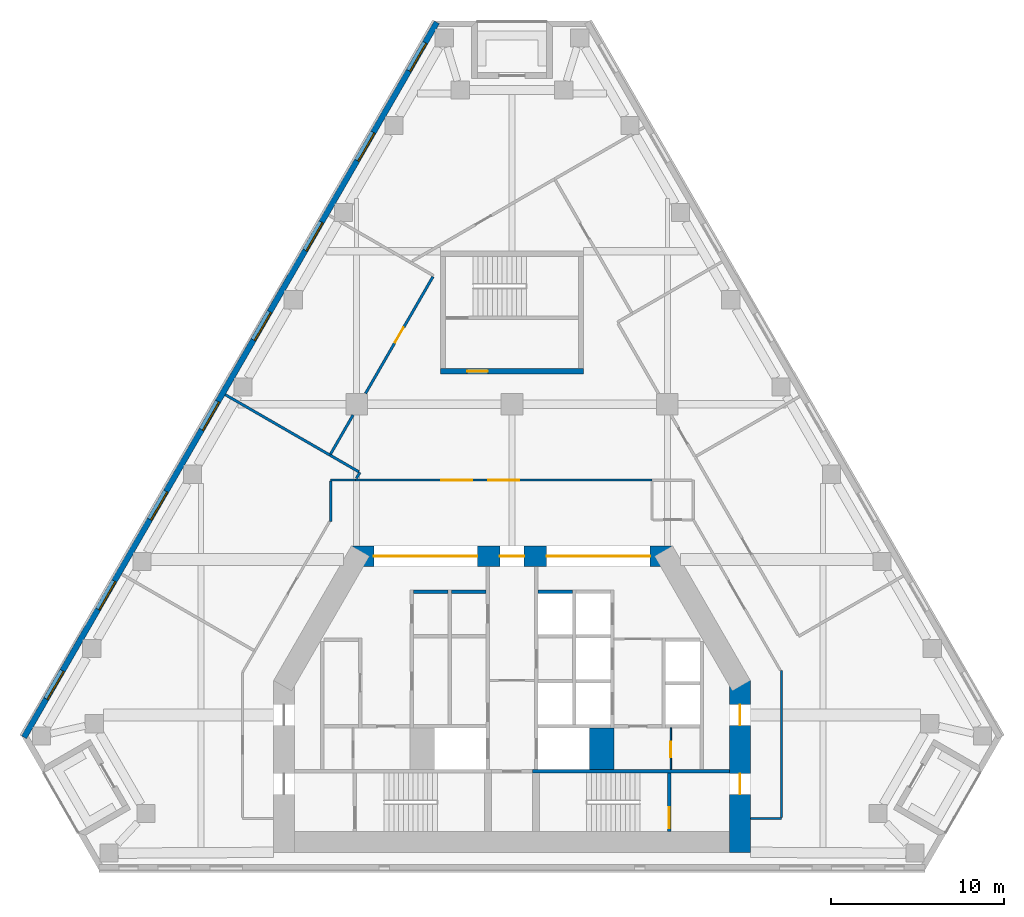
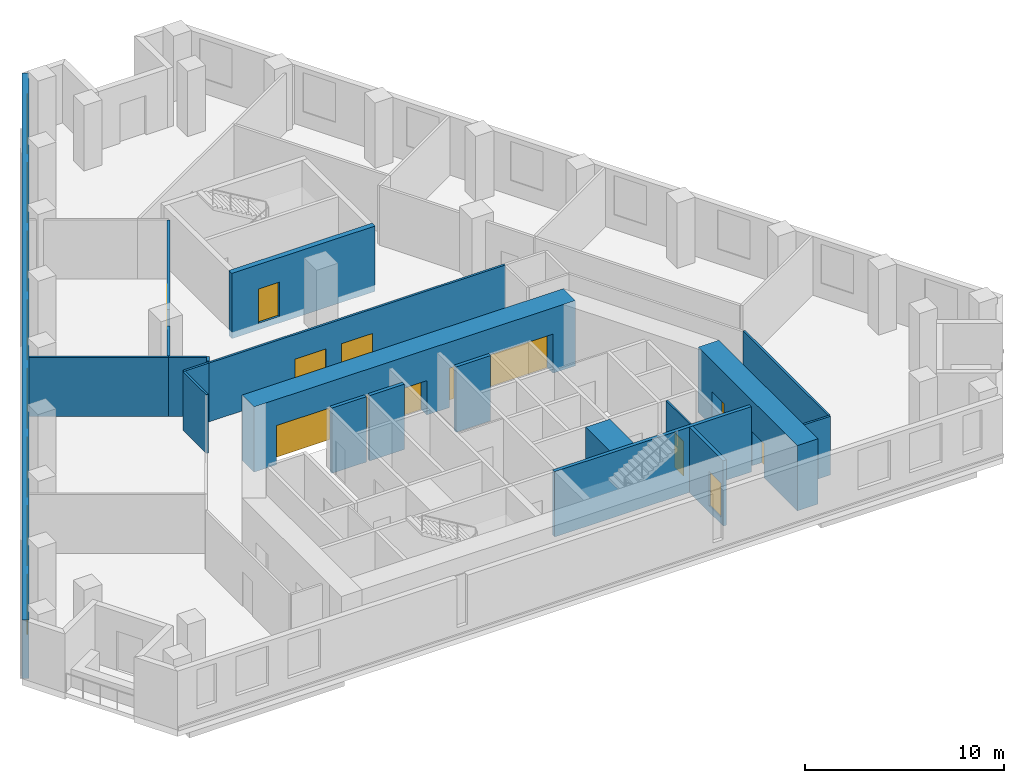
# One storey, part 4 of 7: 21 walls, 11 doors, 8 windows, 19 openings.
"""IFC4 building model written with IfcOpenShell, lengths in metres."""

from ifc_helpers import new_model, si_unit, direction, frame, frame_2d, origin, place, context, subcontext, project, spatial, rectangle, extrude, material, layer, layer_set, type_object, element, fill, save


model = new_model("IFC4")

# Units and contexts
model_context = context("Model", 3, precision=1e-05, world=origin(), true_north=direction((0.0, 1.0)))
body_context = subcontext(model_context, "Body", "Model", "MODEL_VIEW")
ifc_project = project(units=[si_unit("LENGTHUNIT", "METRE"), si_unit("AREAUNIT", "SQUARE_METRE"), si_unit("VOLUMEUNIT", "CUBIC_METRE"), si_unit("PLANEANGLEUNIT", "RADIAN"), si_unit("MASSUNIT", "GRAM", prefix="KILO")], contexts=[model_context])

# Site, building, storey
site_placement = place(None, origin())
site = spatial("IfcSite", under=ifc_project, at=site_placement, CompositionType="ELEMENT")
building_placement = place(site_placement, origin())
building = spatial("IfcBuilding", under=site, at=building_placement, Name="Fogline Exchange Tower", CompositionType="ELEMENT")
storey_placement = place(building_placement, frame((0.0, 0.0, 170.89990234375)))
storey = spatial("IfcBuildingStorey", under=building, at=storey_placement, Name="L38", CompositionType="ELEMENT", Elevation=170.89990234375)

# Wall, opening, door
ifc_material_1 = material(Name="Blockwork partition", Category="masonry")
ifc_layer_1 = layer(ifc_material_1, 0.10009765625)
ifc_layer_set_1 = layer_set([ifc_layer_1], Name="CW10")
wall_type_1 = type_object("IfcWallType", Name="CW10", PredefinedType="PARTITIONING", material=ifc_layer_set_1)
wall_1_placement = place(storey_placement, frame((9.199951171875, 5.85009765625, 0.0), z_axis=(0.0, 0.0, 1.0), x_axis=(0.0, 1.0, 0.0)))
wall_1 = element("IfcWall", 1, at=wall_1_placement, inside=storey, type_object=wall_type_1, Name="WC partition", PredefinedType="PARTITIONING", context=body_context, shape_type="SweptSolid", body=[
    extrude(rectangle(XDim=2.39990234375, YDim=0.10009765625, at=frame_2d((1.199951171875, 0.0))), origin(), (0.0, 0.0, 1.0), 3.60009765625),
])
opening_1_placement = place(wall_1_placement, frame((0.699951171875, 0.0, 0.0)))
opening_1 = element("IfcOpeningElement", 2, at=opening_1_placement, cuts=wall_1, Name="Opening T12-C015", PredefinedType="OPENING", context=body_context, shape_type="SweptSolid", body=[
    extrude(rectangle(XDim=0.89990234375, YDim=2.10009765625, at=frame_2d((0.449951171875, 1.050048828125))), frame((0.0, 0.06005859375, 0.0), z_axis=(0.0, -1.0, 0.0), x_axis=(1.0, 0.0, 0.0)), (0.0, 0.0, 1.0), 0.1201171875),
])
ifc_material_2 = material(Name="Steel and timber fire door", Category="steel")
door_type_1 = type_object("IfcDoorType", Name="D-CS1", OperationType="SINGLE_SWING_RIGHT", PredefinedType="DOOR", material=ifc_material_2)
door_1_placement = place(opening_1_placement, frame((0.89990234375, 0.0, 0.0), z_axis=(0.0, 0.0, 1.0), x_axis=(-1.0, 0.0, 0.0)))
door_1 = element("IfcDoor", 3, at=door_1_placement, inside=storey, type_object=door_type_1, Name="Door to Cleaner's Store", OperationType="SINGLE_SWING_RIGHT", OverallHeight=2.10009765625, OverallWidth=0.89990234375, PredefinedType="DOOR", context=body_context, shape_type="SweptSolid", body=[
    extrude(rectangle(XDim=0.89990234375, YDim=2.10009765625, at=frame_2d((0.449951171875, 1.050048828125))), frame((0.0, 0.02490234375, 0.0), z_axis=(0.0, -1.0, 0.0), x_axis=(1.0, 0.0, 0.0)), (0.0, 0.0, 1.0), 0.050048828125),
])
fill(opening_1, door_1)

# Walls
ifc_material_3 = material(Name="Concrete C60", Category="concrete")
ifc_layer_2 = layer(ifc_material_3, 1.39990234375)
ifc_layer_set_2 = layer_set([ifc_layer_2], Name="CW140")
wall_type_2 = type_object("IfcWallType", Name="CW140", PredefinedType="SOLIDWALL", material=ifc_layer_set_2)
wall_2_placement = place(storey_placement, frame((5.199951171875, 5.85009765625, -0.39990234375), z_axis=(0.0, 0.0, 1.0), x_axis=(0.0, 1.0, 0.0)))
element("IfcWall", 4, at=wall_2_placement, inside=storey, type_object=wall_type_2, Name="Lift shaft block wall", PredefinedType="SOLIDWALL", context=body_context, shape_type="SweptSolid", body=[
    extrude(rectangle(XDim=2.39990234375, YDim=1.39990234375, at=frame_2d((1.199951171875, 0.0))), origin(), (0.0, 0.0, 1.0), 4.0),
])
ifc_material_4 = material(Name="Concrete C40", Category="concrete")
ifc_layer_3 = layer(ifc_material_4, 0.199951171875)
ifc_layer_set_3 = layer_set([ifc_layer_3], Name="CW20R")
wall_type_3 = type_object("IfcWallType", Name="CW20R", PredefinedType="SOLIDWALL", material=ifc_layer_set_3)
wall_3_placement = place(storey_placement, frame((1.199951171875, 5.75, -0.39990234375), z_axis=(0.0, 0.0, 1.0), x_axis=(1.0, 0.0, 0.0)))
element("IfcWall", 5, at=wall_3_placement, inside=storey, type_object=wall_type_3, Name="Stair enclosure wall", PredefinedType="SOLIDWALL", context=body_context, shape_type="SweptSolid", body=[
    extrude(rectangle(XDim=11.400146484375, YDim=0.199951171875, at=frame_2d((5.7001953125, 0.0))), origin(), (0.0, 0.0, 1.0), 4.0),
])

# Wall, opening, door
wall_4_placement = place(storey_placement, frame((9.10009765625, 2.25, -0.39990234375), z_axis=(0.0, 0.0, 1.0), x_axis=(0.0, 1.0, 0.0)))
wall_4 = element("IfcWall", 6, at=wall_4_placement, inside=storey, type_object=wall_type_3, Name="Stair enclosure wall", PredefinedType="SOLIDWALL", context=body_context, shape_type="SweptSolid", body=[
    extrude(rectangle(XDim=3.39990234375, YDim=0.199951171875, at=frame_2d((1.699951171875, 0.0))), origin(), (0.0, 0.0, 1.0), 4.0),
])
opening_2_placement = place(wall_4_placement, frame((0.199951171875, 0.0, 0.39990234375)))
opening_2 = element("IfcOpeningElement", 7, at=opening_2_placement, cuts=wall_4, Name="Opening T12-C017", PredefinedType="OPENING", context=body_context, shape_type="SweptSolid", body=[
    extrude(rectangle(XDim=1.199951171875, YDim=2.10009765625, at=frame_2d((0.60009765625, 1.050048828125))), frame((0.0, 0.10986328125, 0.0), z_axis=(0.0, -1.0, 0.0), x_axis=(1.0, 0.0, 0.0)), (0.0, 0.0, 1.0), 0.219970703125),
])
door_type_2 = type_object("IfcDoorType", Name="D-ST1", OperationType="SINGLE_SWING_LEFT", PredefinedType="DOOR", material=ifc_material_2)
door_2_placement = place(opening_2_placement, origin())
door_2 = element("IfcDoor", 8, at=door_2_placement, inside=storey, type_object=door_type_2, Name="Stair door ST2", OperationType="SINGLE_SWING_LEFT", OverallHeight=2.10009765625, OverallWidth=1.199951171875, PredefinedType="DOOR", context=body_context, shape_type="SweptSolid", body=[
    extrude(rectangle(XDim=1.199951171875, YDim=2.10009765625, at=frame_2d((0.60009765625, 1.050048828125))), frame((0.0, 0.02490234375, 0.0), z_axis=(0.0, -1.0, 0.0), x_axis=(1.0, 0.0, 0.0)), (0.0, 0.0, 1.0), 0.050048828125),
])
fill(opening_2, door_2)

# Walls
ifc_layer_4 = layer(ifc_material_4, 0.199951171875)
ifc_layer_set_4 = layer_set([ifc_layer_4], Name="CW20S")
wall_type_4 = type_object("IfcWallType", Name="CW20S", PredefinedType="SOLIDWALL", material=ifc_layer_set_4)
for number, where, z_axis, x_axis, name in (
    (9, (-5.699951171875, 16.14990234375, -0.39990234375), (0.0, 0.0, 1.0), (1.0, 0.0, 0.0), "Lift shaft wall"),
    (10, (-3.5, 16.14990234375, -0.39990234375), (0.0, 0.0, 1.0), (1.0, 0.0, 0.0), "Lift shaft wall"),
    (11, (1.5, 16.14990234375, -0.39990234375), (0.0, 0.0, 1.0), (1.0, 0.0, 0.0), "Lift shaft wall"),
):
    element("IfcWall", number, at=place(storey_placement, frame(where, z_axis=z_axis, x_axis=x_axis)), inside=storey, type_object=wall_type_4, Name=name, PredefinedType="SOLIDWALL", context=body_context, shape_type="SweptSolid", body=[
        extrude(rectangle(XDim=2.0, YDim=0.199951171875, at=frame_2d((1.0, 0.0))), origin(), (0.0, 0.0, 1.0), 4.0),
    ])

# Wall, opening, door
ifc_layer_5 = layer(ifc_material_4, 0.300048828125)
ifc_layer_set_5 = layer_set([ifc_layer_5], Name="CW30")
wall_type_5 = type_object("IfcWallType", Name="CW30", PredefinedType="SOLIDWALL", material=ifc_layer_set_5)
wall_5_placement = place(storey_placement, frame((-4.14990234375, 28.906982421875, -0.39990234375), z_axis=(0.0, 0.0, 1.0), x_axis=(1.0, 0.0, 0.0)))
wall_5 = element("IfcWall", 12, at=wall_5_placement, inside=storey, type_object=wall_type_5, Name="Stair enclosure wall ST3", PredefinedType="SOLIDWALL", context=body_context, shape_type="SweptSolid", body=[
    extrude(rectangle(XDim=8.2998046875, YDim=0.300048828125, at=frame_2d((4.14990234375, 0.0))), origin(), (0.0, 0.0, 1.0), 4.0),
])
opening_3_placement = place(wall_5_placement, frame((1.550048828125, 0.0, 0.39990234375)))
opening_3 = element("IfcOpeningElement", 13, at=opening_3_placement, cuts=wall_5, Name="Opening T12-C023", PredefinedType="OPENING", context=body_context, shape_type="SweptSolid", body=[
    extrude(rectangle(XDim=1.199951171875, YDim=2.10009765625, at=frame_2d((0.60009765625, 1.050048828125))), frame((0.0, 0.16015625, 0.0), z_axis=(0.0, -1.0, 0.0), x_axis=(1.0, 0.0, 0.0)), (0.0, 0.0, 1.0), 0.320068359375),
])
door_type_3 = type_object("IfcDoorType", Name="D-FR1", OperationType="SINGLE_SWING_RIGHT", PredefinedType="DOOR", material=ifc_material_2)
door_3_placement = place(opening_3_placement, origin())
door_3 = element("IfcDoor", 14, at=door_3_placement, inside=storey, type_object=door_type_3, Name="Front room door ST3", OperationType="SINGLE_SWING_LEFT", OverallHeight=2.10009765625, OverallWidth=1.199951171875, PredefinedType="DOOR", context=body_context, shape_type="SweptSolid", body=[
    extrude(rectangle(XDim=1.199951171875, YDim=2.10009765625, at=frame_2d((0.60009765625, 1.050048828125))), frame((0.0, 0.02490234375, 0.0), z_axis=(0.0, -1.0, 0.0), x_axis=(1.0, 0.0, 0.0)), (0.0, 0.0, 1.0), 0.050048828125),
])
fill(opening_3, door_3)

# Wall, openings, windows
ifc_material_5 = material(Name="Brick masonry", Category="masonry")
ifc_layer_6 = layer(ifc_material_5, 0.340087890625)
ifc_layer_set_6 = layer_set([ifc_layer_6], Name="FW1")
wall_type_6 = type_object("IfcWallType", Name="FW1", PredefinedType="SOLIDWALL", material=ifc_layer_set_6)
wall_6_placement = place(storey_placement, frame((-4.352783203125, 49.111572265625, 0.0), z_axis=(0.0, 0.0, 1.0), x_axis=(-0.500002420408, -0.866024006357, 0.0)))
wall_6 = element("IfcWall", 15, at=wall_6_placement, inside=storey, type_object=wall_type_6, Name="Brick wall L38 W", PredefinedType="SOLIDWALL", context=body_context, shape_type="SweptSolid", body=[
    extrude(rectangle(XDim=47.807373046875, YDim=0.340087890625, at=frame_2d((23.90380859375, 0.0))), origin(), (0.0, 0.0, 1.0), 3.60009765625),
])
opening_4_placement = place(wall_6_placement, frame((1.35546875, 0.0, 0.89990234375)))
opening_4 = element("IfcOpeningElement", 16, at=opening_4_placement, cuts=wall_6, Name="Opening W1", PredefinedType="OPENING", context=body_context, shape_type="SweptSolid", body=[
    extrude(rectangle(XDim=1.885009765625, YDim=2.39990234375, at=frame_2d((0.9423828125, 1.199951171875))), frame((0.0, 0.18017578125, 0.0), z_axis=(0.0, -1.0, 0.0), x_axis=(1.0, 0.0, 0.0)), (0.0, 0.0, 1.0), 0.360107421875),
])
opening_5_placement = place(wall_6_placement, frame((7.35546875, 0.0, 0.89990234375)))
opening_5 = element("IfcOpeningElement", 17, at=opening_5_placement, cuts=wall_6, Name="Opening W1", PredefinedType="OPENING", context=body_context, shape_type="SweptSolid", body=[
    extrude(rectangle(XDim=1.885009765625, YDim=2.39990234375, at=frame_2d((0.9423828125, 1.199951171875))), frame((0.0, 0.18017578125, 0.0), z_axis=(0.0, -1.0, 0.0), x_axis=(1.0, 0.0, 0.0)), (0.0, 0.0, 1.0), 0.360107421875),
])
opening_6_placement = place(wall_6_placement, frame((13.35546875, 0.0, 0.89990234375)))
opening_6 = element("IfcOpeningElement", 18, at=opening_6_placement, cuts=wall_6, Name="Opening W1", PredefinedType="OPENING", context=body_context, shape_type="SweptSolid", body=[
    extrude(rectangle(XDim=1.885009765625, YDim=2.39990234375, at=frame_2d((0.9423828125, 1.199951171875))), frame((0.0, 0.18017578125, 0.0), z_axis=(0.0, -1.0, 0.0), x_axis=(1.0, 0.0, 0.0)), (0.0, 0.0, 1.0), 0.360107421875),
])
opening_7_placement = place(wall_6_placement, frame((19.35546875, 0.0, 0.89990234375)))
opening_7 = element("IfcOpeningElement", 19, at=opening_7_placement, cuts=wall_6, Name="Opening W1", PredefinedType="OPENING", context=body_context, shape_type="SweptSolid", body=[
    extrude(rectangle(XDim=1.885009765625, YDim=2.39990234375, at=frame_2d((0.9423828125, 1.199951171875))), frame((0.0, 0.18017578125, 0.0), z_axis=(0.0, -1.0, 0.0), x_axis=(1.0, 0.0, 0.0)), (0.0, 0.0, 1.0), 0.360107421875),
])
opening_8_placement = place(wall_6_placement, frame((25.35546875, 0.0, 0.89990234375)))
opening_8 = element("IfcOpeningElement", 20, at=opening_8_placement, cuts=wall_6, Name="Opening W1", PredefinedType="OPENING", context=body_context, shape_type="SweptSolid", body=[
    extrude(rectangle(XDim=1.885009765625, YDim=2.39990234375, at=frame_2d((0.9423828125, 1.199951171875))), frame((0.0, 0.18017578125, 0.0), z_axis=(0.0, -1.0, 0.0), x_axis=(1.0, 0.0, 0.0)), (0.0, 0.0, 1.0), 0.360107421875),
])
opening_9_placement = place(wall_6_placement, frame((31.35546875, 0.0, 0.89990234375)))
opening_9 = element("IfcOpeningElement", 21, at=opening_9_placement, cuts=wall_6, Name="Opening W1", PredefinedType="OPENING", context=body_context, shape_type="SweptSolid", body=[
    extrude(rectangle(XDim=1.885009765625, YDim=2.39990234375, at=frame_2d((0.9423828125, 1.199951171875))), frame((0.0, 0.18017578125, 0.0), z_axis=(0.0, -1.0, 0.0), x_axis=(1.0, 0.0, 0.0)), (0.0, 0.0, 1.0), 0.360107421875),
])
opening_10_placement = place(wall_6_placement, frame((37.35546875, 0.0, 0.89990234375)))
opening_10 = element("IfcOpeningElement", 22, at=opening_10_placement, cuts=wall_6, Name="Opening W1", PredefinedType="OPENING", context=body_context, shape_type="SweptSolid", body=[
    extrude(rectangle(XDim=1.885009765625, YDim=2.39990234375, at=frame_2d((0.9423828125, 1.199951171875))), frame((0.0, 0.18017578125, 0.0), z_axis=(0.0, -1.0, 0.0), x_axis=(1.0, 0.0, 0.0)), (0.0, 0.0, 1.0), 0.360107421875),
])
opening_11_placement = place(wall_6_placement, frame((43.35546875, 0.0, 0.89990234375)))
opening_11 = element("IfcOpeningElement", 23, at=opening_11_placement, cuts=wall_6, Name="Opening W1", PredefinedType="OPENING", context=body_context, shape_type="SweptSolid", body=[
    extrude(rectangle(XDim=1.885009765625, YDim=2.39990234375, at=frame_2d((0.9423828125, 1.199951171875))), frame((0.0, 0.18017578125, 0.0), z_axis=(0.0, -1.0, 0.0), x_axis=(1.0, 0.0, 0.0)), (0.0, 0.0, 1.0), 0.360107421875),
])
ifc_material_6 = material(Name="Aluminium and glass", Category="aluminium")
window_type = type_object("IfcWindowType", Name="W1", PartitioningType="SINGLE_PANEL", PredefinedType="WINDOW", material=ifc_material_6)
window_1_placement = place(opening_4_placement, origin())
window_1 = element("IfcWindow", 24, at=window_1_placement, inside=storey, type_object=window_type, Name="W1 W1", OverallHeight=2.39990234375, OverallWidth=1.885009765625, PartitioningType="SINGLE_PANEL", PredefinedType="WINDOW", context=body_context, shape_type="SweptSolid", body=[
    extrude(rectangle(XDim=1.885009765625, YDim=2.39990234375, at=frame_2d((0.9423828125, 1.199951171875))), frame((0.0, 0.110107421875, 0.0), z_axis=(0.0, -1.0, 0.0), x_axis=(1.0, 0.0, 0.0)), (0.0, 0.0, 1.0), 0.06005859375),
])
fill(opening_4, window_1)
window_2_placement = place(opening_5_placement, origin())
window_2 = element("IfcWindow", 25, at=window_2_placement, inside=storey, type_object=window_type, Name="W1 W1", OverallHeight=2.39990234375, OverallWidth=1.885009765625, PartitioningType="SINGLE_PANEL", PredefinedType="WINDOW", context=body_context, shape_type="SweptSolid", body=[
    extrude(rectangle(XDim=1.885009765625, YDim=2.39990234375, at=frame_2d((0.9423828125, 1.199951171875))), frame((0.0, 0.110107421875, 0.0), z_axis=(0.0, -1.0, 0.0), x_axis=(1.0, 0.0, 0.0)), (0.0, 0.0, 1.0), 0.06005859375),
])
fill(opening_5, window_2)
window_3_placement = place(opening_6_placement, origin())
window_3 = element("IfcWindow", 26, at=window_3_placement, inside=storey, type_object=window_type, Name="W1 W1", OverallHeight=2.39990234375, OverallWidth=1.885009765625, PartitioningType="SINGLE_PANEL", PredefinedType="WINDOW", context=body_context, shape_type="SweptSolid", body=[
    extrude(rectangle(XDim=1.885009765625, YDim=2.39990234375, at=frame_2d((0.9423828125, 1.199951171875))), frame((0.0, 0.110107421875, 0.0), z_axis=(0.0, -1.0, 0.0), x_axis=(1.0, 0.0, 0.0)), (0.0, 0.0, 1.0), 0.06005859375),
])
fill(opening_6, window_3)
window_4_placement = place(opening_7_placement, origin())
window_4 = element("IfcWindow", 27, at=window_4_placement, inside=storey, type_object=window_type, Name="W1 W1", OverallHeight=2.39990234375, OverallWidth=1.885009765625, PartitioningType="SINGLE_PANEL", PredefinedType="WINDOW", context=body_context, shape_type="SweptSolid", body=[
    extrude(rectangle(XDim=1.885009765625, YDim=2.39990234375, at=frame_2d((0.9423828125, 1.199951171875))), frame((0.0, 0.110107421875, 0.0), z_axis=(0.0, -1.0, 0.0), x_axis=(1.0, 0.0, 0.0)), (0.0, 0.0, 1.0), 0.06005859375),
])
fill(opening_7, window_4)
window_5_placement = place(opening_8_placement, origin())
window_5 = element("IfcWindow", 28, at=window_5_placement, inside=storey, type_object=window_type, Name="W1 W1", OverallHeight=2.39990234375, OverallWidth=1.885009765625, PartitioningType="SINGLE_PANEL", PredefinedType="WINDOW", context=body_context, shape_type="SweptSolid", body=[
    extrude(rectangle(XDim=1.885009765625, YDim=2.39990234375, at=frame_2d((0.9423828125, 1.199951171875))), frame((0.0, 0.110107421875, 0.0), z_axis=(0.0, -1.0, 0.0), x_axis=(1.0, 0.0, 0.0)), (0.0, 0.0, 1.0), 0.06005859375),
])
fill(opening_8, window_5)
window_6_placement = place(opening_9_placement, origin())
window_6 = element("IfcWindow", 29, at=window_6_placement, inside=storey, type_object=window_type, Name="W1 W1", OverallHeight=2.39990234375, OverallWidth=1.885009765625, PartitioningType="SINGLE_PANEL", PredefinedType="WINDOW", context=body_context, shape_type="SweptSolid", body=[
    extrude(rectangle(XDim=1.885009765625, YDim=2.39990234375, at=frame_2d((0.9423828125, 1.199951171875))), frame((0.0, 0.110107421875, 0.0), z_axis=(0.0, -1.0, 0.0), x_axis=(1.0, 0.0, 0.0)), (0.0, 0.0, 1.0), 0.06005859375),
])
fill(opening_9, window_6)
window_7_placement = place(opening_10_placement, origin())
window_7 = element("IfcWindow", 30, at=window_7_placement, inside=storey, type_object=window_type, Name="W1 W1", OverallHeight=2.39990234375, OverallWidth=1.885009765625, PartitioningType="SINGLE_PANEL", PredefinedType="WINDOW", context=body_context, shape_type="SweptSolid", body=[
    extrude(rectangle(XDim=1.885009765625, YDim=2.39990234375, at=frame_2d((0.9423828125, 1.199951171875))), frame((0.0, 0.110107421875, 0.0), z_axis=(0.0, -1.0, 0.0), x_axis=(1.0, 0.0, 0.0)), (0.0, 0.0, 1.0), 0.06005859375),
])
fill(opening_10, window_7)
window_8_placement = place(opening_11_placement, origin())
window_8 = element("IfcWindow", 31, at=window_8_placement, inside=storey, type_object=window_type, Name="W1 W1", OverallHeight=2.39990234375, OverallWidth=1.885009765625, PartitioningType="SINGLE_PANEL", PredefinedType="WINDOW", context=body_context, shape_type="SweptSolid", body=[
    extrude(rectangle(XDim=1.885009765625, YDim=2.39990234375, at=frame_2d((0.9423828125, 1.199951171875))), frame((0.0, 0.110107421875, 0.0), z_axis=(0.0, -1.0, 0.0), x_axis=(1.0, 0.0, 0.0)), (0.0, 0.0, 1.0), 0.06005859375),
])
fill(opening_11, window_8)

# Walls
ifc_material_7 = material(Name="Plasterboard corridor partition with mineral wool, 2 layers each side")
ifc_layer_7 = layer(ifc_material_7, 0.125)
ifc_layer_set_7 = layer_set([ifc_layer_7], Name="PW2")
wall_type_7 = type_object("IfcWallType", Name="PW2", PredefinedType="PARTITIONING", material=ifc_layer_set_7)
wall_7_placement = place(storey_placement, frame((15.60009765625, 11.58984375, 0.0), z_axis=(0.0, 0.0, 1.0), x_axis=(0.0, -1.0, 0.0)))
element("IfcWall", 32, at=wall_7_placement, inside=storey, type_object=wall_type_7, Name="wall-L38-W002", PredefinedType="PARTITIONING", context=body_context, shape_type="SweptSolid", body=[
    extrude(rectangle(XDim=8.52734375, YDim=0.125, at=frame_2d((4.263671875, 0.0))), origin(), (0.0, 0.0, 1.0), 3.60009765625),
])
wall_8_placement = place(storey_placement, frame((15.60009765625, 3.0, 0.0), z_axis=(0.0, 0.0, 1.0), x_axis=(-1.0, 0.0, 0.0)))
element("IfcWall", 33, at=wall_8_placement, inside=storey, type_object=wall_type_7, Name="wall-L38-W003", PredefinedType="PARTITIONING", context=body_context, shape_type="SweptSolid", body=[
    extrude(rectangle(XDim=1.800048828125, YDim=0.125, at=frame_2d((0.89990234375, 0.0))), origin(), (0.0, 0.0, 1.0), 3.60009765625),
])
wall_9_placement = place(storey_placement, frame((-10.5, 20.2060546875, 0.0), z_axis=(0.0, 0.0, 1.0), x_axis=(0.0, 1.0, 0.0)))
element("IfcWall", 34, at=wall_9_placement, inside=storey, type_object=wall_type_7, Name="wall-L38-W006", PredefinedType="PARTITIONING", context=body_context, shape_type="SweptSolid", body=[
    extrude(rectangle(XDim=2.33154296875, YDim=0.125, at=frame_2d((1.165771484375, 0.0))), origin(), (0.0, 0.0, 1.0), 3.60009765625),
])
wall_10_placement = place(storey_placement, frame((-10.5, 22.60009765625, 0.0), z_axis=(0.0, 0.0, 1.0), x_axis=(1.0, 0.0, 0.0)))
element("IfcWall", 35, at=wall_10_placement, inside=storey, type_object=wall_type_7, Name="wall-L38-W007", PredefinedType="PARTITIONING", context=body_context, shape_type="SweptSolid", body=[
    extrude(rectangle(XDim=1.42919921875, YDim=0.125, at=frame_2d((0.714599609375, 0.0))), origin(), (0.0, 0.0, 1.0), 3.60009765625),
])

# Wall, openings, doors
wall_11_placement = place(storey_placement, frame((-9.07080078125, 22.60009765625, 0.0), z_axis=(0.0, 0.0, 1.0), x_axis=(1.0, 0.0, 0.0)))
wall_11 = element("IfcWall", 36, at=wall_11_placement, inside=storey, type_object=wall_type_7, Name="wall-L38-W008", PredefinedType="PARTITIONING", context=body_context, shape_type="SweptSolid", body=[
    extrude(rectangle(XDim=17.1708984375, YDim=0.125, at=frame_2d((8.58544921875, 0.0))), origin(), (0.0, 0.0, 1.0), 3.60009765625),
])
opening_12_placement = place(wall_11_placement, frame((4.981689453125, 0.0, 0.0)))
opening_12 = element("IfcOpeningElement", 37, at=opening_12_placement, cuts=wall_11, Name="Opening T12-D003", PredefinedType="OPENING", context=body_context, shape_type="SweptSolid", body=[
    extrude(rectangle(XDim=1.800048828125, YDim=2.10009765625, at=frame_2d((0.89990234375, 1.050048828125))), frame((0.0, 0.072509765625, 0.0), z_axis=(0.0, -1.0, 0.0), x_axis=(1.0, 0.0, 0.0)), (0.0, 0.0, 1.0), 0.14501953125),
])
opening_13_placement = place(wall_11_placement, frame((7.685302734375, 0.0, 0.0)))
opening_13 = element("IfcOpeningElement", 38, at=opening_13_placement, cuts=wall_11, Name="Opening T12-D004", PredefinedType="OPENING", context=body_context, shape_type="SweptSolid", body=[
    extrude(rectangle(XDim=1.800048828125, YDim=2.10009765625, at=frame_2d((0.89990234375, 1.050048828125))), frame((0.0, 0.072509765625, 0.0), z_axis=(0.0, -1.0, 0.0), x_axis=(1.0, 0.0, 0.0)), (0.0, 0.0, 1.0), 0.14501953125),
])
ifc_material_8 = material(Name="Fire-rated timber door leaves with steel frame", Category="steel")
door_type_4 = type_object("IfcDoorType", Name="D4", OperationType="DOUBLE_DOOR_SINGLE_SWING", PredefinedType="DOOR", material=ifc_material_8)
door_4_placement = place(opening_12_placement, frame((1.800048828125, 0.0, 0.0), z_axis=(0.0, 0.0, 1.0), x_axis=(-1.0, 0.0, 0.0)))
door_4 = element("IfcDoor", 39, at=door_4_placement, inside=storey, type_object=door_type_4, Name="door-L38-D003", OperationType="DOUBLE_DOOR_SINGLE_SWING", OverallHeight=2.10009765625, OverallWidth=1.800048828125, PredefinedType="DOOR", context=body_context, shape_type="SweptSolid", body=[
    extrude(rectangle(XDim=1.800048828125, YDim=2.10009765625, at=frame_2d((0.89990234375, 1.050048828125))), frame((0.0, 0.02490234375, 0.0), z_axis=(0.0, -1.0, 0.0), x_axis=(1.0, 0.0, 0.0)), (0.0, 0.0, 1.0), 0.050048828125),
])
fill(opening_12, door_4)
door_5_placement = place(opening_13_placement, frame((1.800048828125, 0.0, 0.0), z_axis=(0.0, 0.0, 1.0), x_axis=(-1.0, 0.0, 0.0)))
door_5 = element("IfcDoor", 40, at=door_5_placement, inside=storey, type_object=door_type_4, Name="door-L38-D004", OperationType="DOUBLE_DOOR_SINGLE_SWING", OverallHeight=2.10009765625, OverallWidth=1.800048828125, PredefinedType="DOOR", context=body_context, shape_type="SweptSolid", body=[
    extrude(rectangle(XDim=1.800048828125, YDim=2.10009765625, at=frame_2d((0.89990234375, 1.050048828125))), frame((0.0, 0.02490234375, 0.0), z_axis=(0.0, -1.0, 0.0), x_axis=(1.0, 0.0, 0.0)), (0.0, 0.0, 1.0), 0.050048828125),
])
fill(opening_13, door_5)

# Wall
ifc_material_9 = material(Name="Plasterboard demising partition with mineral wool and acoustic board")
ifc_layer_8 = layer(ifc_material_9, 0.14990234375)
ifc_layer_set_8 = layer_set([ifc_layer_8], Name="PW3")
wall_type_8 = type_object("IfcWallType", Name="PW3", PredefinedType="PARTITIONING", material=ifc_layer_set_8)
wall_12_placement = place(storey_placement, frame((-10.54248046875, 24.05078125, 0.0), z_axis=(0.0, 0.0, 1.0), x_axis=(-0.866019471182, 0.500010275428, 0.0)))
element("IfcWall", 41, at=wall_12_placement, inside=storey, type_object=wall_type_8, Name="wall-L38-W028", PredefinedType="PARTITIONING", context=body_context, shape_type="SweptSolid", body=[
    extrude(rectangle(XDim=6.999755859375, YDim=0.14990234375, at=frame_2d((3.5, 0.0))), origin(), (0.0, 0.0, 1.0), 3.60009765625),
])

# Wall, opening, door
wall_13_placement = place(storey_placement, frame((-4.579833984375, 34.378173828125, 0.0), z_axis=(0.0, 0.0, 1.0), x_axis=(-0.500021466329, -0.866013009839, 0.0)))
wall_13 = element("IfcWall", 42, at=wall_13_placement, inside=storey, type_object=wall_type_8, Name="wall-L38-W030", PredefinedType="PARTITIONING", context=body_context, shape_type="SweptSolid", body=[
    extrude(rectangle(XDim=7.798095703125, YDim=0.14990234375, at=frame_2d((3.89892578125, 0.0))), origin(), (0.0, 0.0, 1.0), 3.60009765625),
])
opening_14_placement = place(wall_13_placement, frame((3.39892578125, 0.0, 0.0)))
opening_14 = element("IfcOpeningElement", 43, at=opening_14_placement, cuts=wall_13, Name="Opening T12-D011", PredefinedType="OPENING", context=body_context, shape_type="SweptSolid", body=[
    extrude(rectangle(XDim=1.0, YDim=2.10009765625, at=frame_2d((0.5, 1.050048828125))), frame((0.0, 0.0849609375, 0.0), z_axis=(0.0, -1.0, 0.0), x_axis=(1.0, 0.0, 0.0)), (0.0, 0.0, 1.0), 0.169921875),
])
ifc_material_10 = material(Name="Fire-rated timber door leaf with steel frame", Category="steel")
door_type_5 = type_object("IfcDoorType", Name="D3", OperationType="SINGLE_SWING_LEFT", PredefinedType="DOOR", material=ifc_material_10)
door_6_placement = place(opening_14_placement, frame((1.0, 0.0, 0.0), z_axis=(0.0, 0.0, 1.0), x_axis=(-1.0, 0.0, 0.0)))
door_6 = element("IfcDoor", 44, at=door_6_placement, inside=storey, type_object=door_type_5, Name="door-L38-D011", OperationType="SINGLE_SWING_LEFT", OverallHeight=2.10009765625, OverallWidth=1.0, PredefinedType="DOOR", context=body_context, shape_type="SweptSolid", body=[
    extrude(rectangle(XDim=1.0, YDim=2.10009765625, at=frame_2d((0.5, 1.050048828125))), frame((0.0, 0.02490234375, 0.0), z_axis=(0.0, -1.0, 0.0), x_axis=(1.0, 0.0, 0.0)), (0.0, 0.0, 1.0), 0.050048828125),
])
fill(opening_14, door_6)

# Walls
wall_14_placement = place(storey_placement, frame((-9.20068359375, 26.375, 0.0), z_axis=(0.0, 0.0, 1.0), x_axis=(-0.499984413489, -0.866034402474, 0.0)))
element("IfcWall", 45, at=wall_14_placement, inside=storey, type_object=wall_type_8, Name="wall-L38-W031", PredefinedType="PARTITIONING", context=body_context, shape_type="SweptSolid", body=[
    extrude(rectangle(XDim=2.6083984375, YDim=0.14990234375, at=frame_2d((1.30419921875, 0.0))), origin(), (0.0, 0.0, 1.0), 3.60009765625),
])
wall_15_placement = place(storey_placement, frame((-10.54248046875, 24.05078125, 0.0), z_axis=(0.0, 0.0, 1.0), x_axis=(0.866065214058, -0.499931040243, 0.0)))
element("IfcWall", 46, at=wall_15_placement, inside=storey, type_object=wall_type_8, Name="wall-L38-W033", PredefinedType="PARTITIONING", context=body_context, shape_type="SweptSolid", body=[
    extrude(rectangle(XDim=1.925048828125, YDim=0.14990234375, at=frame_2d((0.96240234375, 0.0))), origin(), (0.0, 0.0, 1.0), 3.60009765625),
])
wall_16_placement = place(storey_placement, frame((-8.810302734375, 23.05078125, 0.0), z_axis=(0.0, 0.0, 1.0), x_axis=(-0.500227331437, -0.865894114129, 0.0)))
element("IfcWall", 47, at=wall_16_placement, inside=storey, type_object=wall_type_8, Name="wall-L38-W034", PredefinedType="PARTITIONING", context=body_context, shape_type="SweptSolid", body=[
    extrude(rectangle(XDim=0.404541015625, YDim=0.14990234375, at=frame_2d((0.2021484375, 0.0))), origin(), (0.0, 0.0, 1.0), 3.60009765625),
])

# Wall, openings, doors
ifc_layer_9 = layer(ifc_material_3, 1.199951171875)
ifc_layer_set_9 = layer_set([ifc_layer_9], Name="SW02")
wall_type_9 = type_object("IfcWallType", Name="SW02", PredefinedType="SHEAR", material=ifc_layer_set_9)
wall_17_placement = place(storey_placement, frame((13.199951171875, 1.050048828125, 0.0), z_axis=(0.0, 0.0, 1.0), x_axis=(0.0, 1.0, 0.0)))
wall_17 = element("IfcWall", 48, at=wall_17_placement, inside=storey, type_object=wall_type_9, Name="L38-W902", PredefinedType="SHEAR", context=body_context, shape_type="SweptSolid", body=[
    extrude(rectangle(XDim=9.948974609375, YDim=1.199951171875, at=frame_2d((4.974609375, 0.0))), origin(), (0.0, 0.0, 1.0), 4.0),
])
opening_15_placement = place(wall_17_placement, frame((3.35009765625, 0.0, 0.0)))
opening_15 = element("IfcOpeningElement", 49, at=opening_15_placement, cuts=wall_17, Name="Opening T12-C016", PredefinedType="OPENING", context=body_context, shape_type="SweptSolid", body=[
    extrude(rectangle(XDim=1.199951171875, YDim=2.10009765625, at=frame_2d((0.60009765625, 1.050048828125))), frame((0.0, 0.60986328125, 0.0), z_axis=(0.0, -1.0, 0.0), x_axis=(1.0, 0.0, 0.0)), (0.0, 0.0, 1.0), 1.219970703125),
])
opening_16_placement = place(wall_17_placement, frame((7.35009765625, 0.0, 0.0)))
opening_16 = element("IfcOpeningElement", 50, at=opening_16_placement, cuts=wall_17, Name="Opening T12-C018", PredefinedType="OPENING", context=body_context, shape_type="SweptSolid", body=[
    extrude(rectangle(XDim=1.199951171875, YDim=2.10009765625, at=frame_2d((0.60009765625, 1.050048828125))), frame((0.0, 0.60986328125, 0.0), z_axis=(0.0, -1.0, 0.0), x_axis=(1.0, 0.0, 0.0)), (0.0, 0.0, 1.0), 1.219970703125),
])
door_7_placement = place(opening_15_placement, origin())
door_7 = element("IfcDoor", 51, at=door_7_placement, inside=storey, type_object=door_type_3, Name="Front room door ST2", OperationType="SINGLE_SWING_RIGHT", OverallHeight=2.10009765625, OverallWidth=1.199951171875, PredefinedType="DOOR", context=body_context, shape_type="SweptSolid", body=[
    extrude(rectangle(XDim=1.199951171875, YDim=2.10009765625, at=frame_2d((0.60009765625, 1.050048828125))), frame((0.0, 0.02490234375, 0.0), z_axis=(0.0, -1.0, 0.0), x_axis=(1.0, 0.0, 0.0)), (0.0, 0.0, 1.0), 0.050048828125),
])
fill(opening_15, door_7)
door_type_6 = type_object("IfcDoorType", Name="D-SV1", OperationType="SINGLE_SWING_LEFT", PredefinedType="DOOR", material=ifc_material_2)
door_8_placement = place(opening_16_placement, origin())
door_8 = element("IfcDoor", 52, at=door_8_placement, inside=storey, type_object=door_type_6, Name="Service door E", OperationType="SINGLE_SWING_RIGHT", OverallHeight=2.10009765625, OverallWidth=1.199951171875, PredefinedType="DOOR", context=body_context, shape_type="SweptSolid", body=[
    extrude(rectangle(XDim=1.199951171875, YDim=2.10009765625, at=frame_2d((0.60009765625, 1.050048828125))), frame((0.0, 0.02490234375, 0.0), z_axis=(0.0, -1.0, 0.0), x_axis=(1.0, 0.0, 0.0)), (0.0, 0.0, 1.0), 0.050048828125),
])
fill(opening_16, door_8)

wall_18_placement = place(storey_placement, frame((9.296142578125, 18.199951171875, 0.0), z_axis=(0.0, 0.0, 1.0), x_axis=(-1.0, 0.0, 0.0)))
wall_18 = element("IfcWall", 53, at=wall_18_placement, inside=storey, type_object=wall_type_9, Name="L38-W904", PredefinedType="SHEAR", context=body_context, shape_type="SweptSolid", body=[
    extrude(rectangle(XDim=18.59228515625, YDim=1.199951171875, at=frame_2d((9.296142578125, 0.0))), origin(), (0.0, 0.0, 1.0), 4.0),
])
opening_17_placement = place(wall_18_placement, frame((8.59619140625, 0.0, 0.0)))
opening_17 = element("IfcOpeningElement", 54, at=opening_17_placement, cuts=wall_18, Name="Opening T12-C020", PredefinedType="OPENING", context=body_context, shape_type="SweptSolid", body=[
    extrude(rectangle(XDim=1.39990234375, YDim=2.10009765625, at=frame_2d((0.699951171875, 1.050048828125))), frame((0.0, 0.60986328125, 0.0), z_axis=(0.0, -1.0, 0.0), x_axis=(1.0, 0.0, 0.0)), (0.0, 0.0, 1.0), 1.219970703125),
])
opening_18_placement = place(wall_18_placement, frame((11.296142578125, 0.0, 0.0)))
opening_18 = element("IfcOpeningElement", 55, at=opening_18_placement, cuts=wall_18, Name="Opening T12-C021", PredefinedType="OPENING", context=body_context, shape_type="SweptSolid", body=[
    extrude(rectangle(XDim=6.0, YDim=2.39990234375, at=frame_2d((3.0, 1.199951171875))), frame((0.0, 0.60986328125, 0.0), z_axis=(0.0, -1.0, 0.0), x_axis=(1.0, 0.0, 0.0)), (0.0, 0.0, 1.0), 1.219970703125),
])
opening_19_placement = place(wall_18_placement, frame((1.296142578125, 0.0, 0.0)))
opening_19 = element("IfcOpeningElement", 56, at=opening_19_placement, cuts=wall_18, Name="Opening T12-C022", PredefinedType="OPENING", context=body_context, shape_type="SweptSolid", body=[
    extrude(rectangle(XDim=6.0, YDim=2.39990234375, at=frame_2d((3.0, 1.199951171875))), frame((0.0, 0.60986328125, 0.0), z_axis=(0.0, -1.0, 0.0), x_axis=(1.0, 0.0, 0.0)), (0.0, 0.0, 1.0), 1.219970703125),
])
door_type_7 = type_object("IfcDoorType", Name="D-LB1", OperationType="DOUBLE_DOOR_SINGLE_SWING", PredefinedType="DOOR", material=ifc_material_2)
door_9_placement = place(opening_17_placement, origin())
door_9 = element("IfcDoor", 57, at=door_9_placement, inside=storey, type_object=door_type_7, Name="Protected lobby door", OperationType="DOUBLE_DOOR_SINGLE_SWING", OverallHeight=2.10009765625, OverallWidth=1.39990234375, PredefinedType="DOOR", context=body_context, shape_type="SweptSolid", body=[
    extrude(rectangle(XDim=1.39990234375, YDim=2.10009765625, at=frame_2d((0.699951171875, 1.050048828125))), frame((0.0, 0.02490234375, 0.0), z_axis=(0.0, -1.0, 0.0), x_axis=(1.0, 0.0, 0.0)), (0.0, 0.0, 1.0), 0.050048828125),
])
fill(opening_17, door_9)
door_type_8 = type_object("IfcDoorType", Name="D-LE1", OperationType="DOUBLE_DOOR_SLIDING", PredefinedType="DOOR", material=ifc_material_2)
door_10_placement = place(opening_18_placement, origin())
door_10 = element("IfcDoor", 58, at=door_10_placement, inside=storey, type_object=door_type_8, Name="Lift lobby entrance west", OperationType="DOUBLE_DOOR_SLIDING", OverallHeight=2.39990234375, OverallWidth=6.0, PredefinedType="DOOR", context=body_context, shape_type="SweptSolid", body=[
    extrude(rectangle(XDim=6.0, YDim=2.39990234375, at=frame_2d((3.0, 1.199951171875))), frame((0.0, 0.02490234375, 0.0), z_axis=(0.0, -1.0, 0.0), x_axis=(1.0, 0.0, 0.0)), (0.0, 0.0, 1.0), 0.050048828125),
])
fill(opening_18, door_10)
door_11_placement = place(opening_19_placement, origin())
door_11 = element("IfcDoor", 59, at=door_11_placement, inside=storey, type_object=door_type_8, Name="Lift lobby entrance east", OperationType="DOUBLE_DOOR_SLIDING", OverallHeight=2.39990234375, OverallWidth=6.0, PredefinedType="DOOR", context=body_context, shape_type="SweptSolid", body=[
    extrude(rectangle(XDim=6.0, YDim=2.39990234375, at=frame_2d((3.0, 1.199951171875))), frame((0.0, 0.02490234375, 0.0), z_axis=(0.0, -1.0, 0.0), x_axis=(1.0, 0.0, 0.0)), (0.0, 0.0, 1.0), 0.050048828125),
])
fill(opening_19, door_11)

save(model, "model.ifc")
